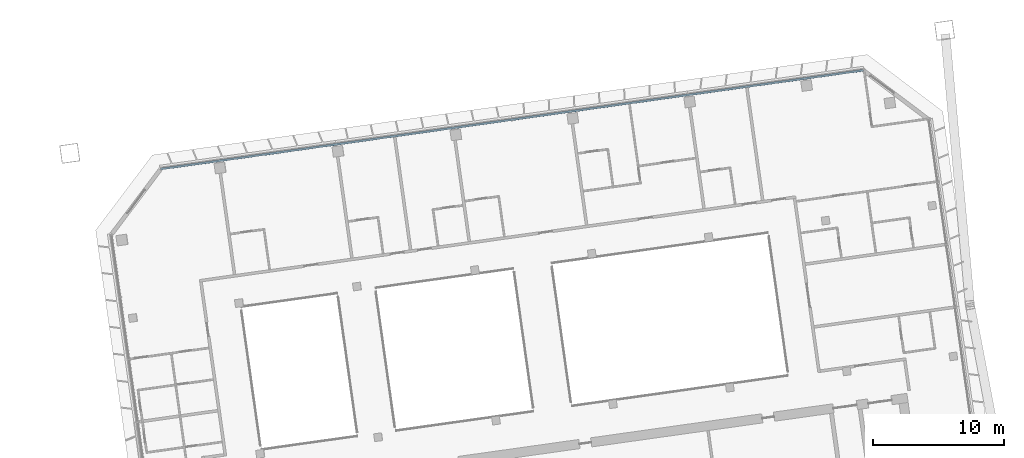
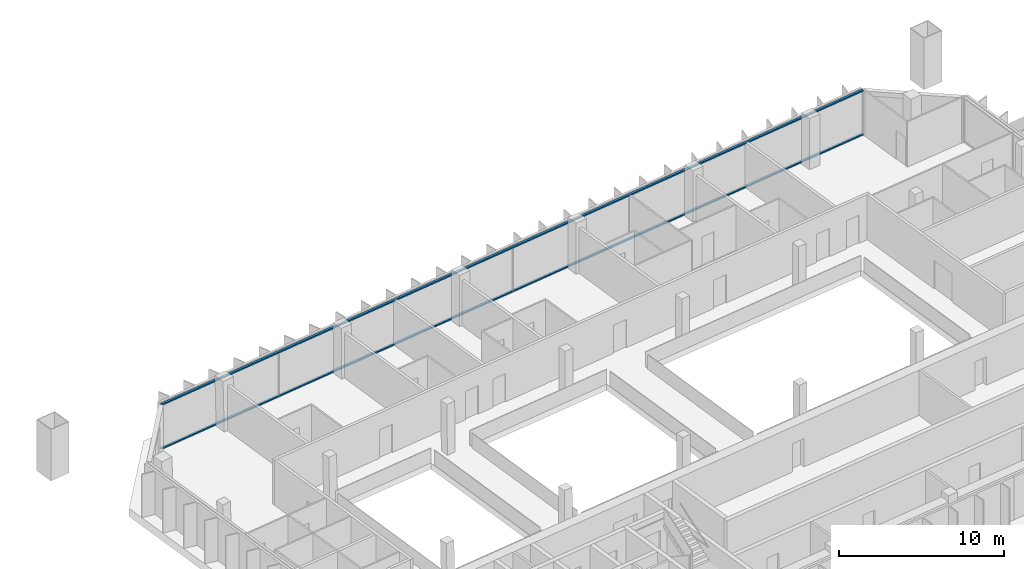
# One storey, part 12 of 28: 2 members, 1 element without a shape of its own.
"""IFC4 building model written with IfcOpenShell, lengths in metres."""

import ifcopenshell
import ifcopenshell.guid

model = None  # the IFC model being written
_history = None  # IfcOwnerHistory: only IFC2X3 demands one
_inside = {}  # id of a spatial element -> (the spatial element, [elements in it])
_under = {}  # id of a project, library or spatial element -> (it, [spatial elements below it])
_declared = {}  # id of a project -> (the project, [libraries it declares])
_typed = {}  # id of a type object -> (the type object, [elements of that type])
_made_of = {}  # id of a material, layer set ... -> (it, [elements and type objects made of it])


def new_model(schema):
    """Start an empty IFC model of exactly this schema.

    Asked for "IFC4X3", IfcOpenShell would pick the latest addendum, in which some entities
    have other attributes; the version numbers below select the first issue.
    IFC2X3 requires an IfcOwnerHistory on every rooted entity: one is made here for all.
    """
    global model, _history
    if schema == "IFC4X3":
        model = ifcopenshell.file(schema_version=(4, 3, 0, 0))
    else:
        model = ifcopenshell.file(schema=schema)
    _inside.clear()
    _under.clear()
    _declared.clear()
    _typed.clear()
    _made_of.clear()
    _history = None
    if model.schema == "IFC2X3":
        org = make("IfcOrganization", Name="unknown")
        user = make(
            "IfcPersonAndOrganization",
            ThePerson=make("IfcPerson", FamilyName="unknown"),
            TheOrganization=org,
        )
        app = make(
            "IfcApplication",
            ApplicationDeveloper=org,
            Version="unknown",
            ApplicationFullName="unknown",
            ApplicationIdentifier="unknown",
        )
        _history = make(
            "IfcOwnerHistory",
            OwningUser=user,
            OwningApplication=app,
            ChangeAction="ADDED",
            CreationDate=0,
        )
    return model


def make(cls, **values):
    """One entity of the class cls with the attributes given. An attribute that is None is left unset."""
    return model.create_entity(
        cls, **{name: value for name, value in values.items() if value is not None}
    )


def rooted(cls, **values):
    """An entity with a GlobalId (a new one), such as an element, a storey or a relation."""
    return make(cls, GlobalId=ifcopenshell.guid.new(), OwnerHistory=_history, **values)


def si_unit(unit_type, name, prefix=None):
    """IfcSIUnit, for example si_unit("LENGTHUNIT", "METRE", prefix="MILLI")."""
    return make("IfcSIUnit", UnitType=unit_type, Prefix=prefix, Name=name)


def assignment(units):
    """IfcUnitAssignment: the units of a project."""
    return None if units is None else make("IfcUnitAssignment", Units=units)


def point(xyz):
    """IfcCartesianPoint."""
    return None if xyz is None else make("IfcCartesianPoint", Coordinates=xyz)


def direction(xyz):
    """IfcDirection."""
    return None if xyz is None else make("IfcDirection", DirectionRatios=xyz)


def frame(location, z_axis=None, x_axis=None):
    """IfcAxis2Placement3D, a coordinate frame: its origin and axes. An axis left out is left unset."""
    return make(
        "IfcAxis2Placement3D",
        Location=point(location),
        Axis=direction(z_axis),
        RefDirection=direction(x_axis),
    )


def frame_2d(location, x_axis=None):
    """IfcAxis2Placement2D, a coordinate frame in the plane: its origin and x axis."""
    return make(
        "IfcAxis2Placement2D", Location=point(location), RefDirection=direction(x_axis)
    )


def origin():
    """The frame at (0, 0, 0) with its axes left unset."""
    return frame((0.0, 0.0, 0.0))


def origin_2d():
    """The frame at (0, 0) in the plane with its x axis left unset."""
    return frame_2d((0.0, 0.0))


def place(relative_to, where):
    """IfcLocalPlacement: puts the frame where relative to a parent placement (None: the world)."""
    return make(
        "IfcLocalPlacement", PlacementRelTo=relative_to, RelativePlacement=where
    )


def context(
    kind, dimensions, precision=None, world=None, true_north=None, identifier=None
):
    """IfcGeometricRepresentationContext, for example the 3D "Model" context."""
    return make(
        "IfcGeometricRepresentationContext",
        ContextIdentifier=identifier,
        ContextType=kind,
        CoordinateSpaceDimension=dimensions,
        Precision=precision,
        WorldCoordinateSystem=world,
        TrueNorth=true_north,
    )


def subcontext(parent, identifier, kind, view, scale=None):
    """IfcGeometricRepresentationSubContext, for example "Body" below "Model"."""
    return make(
        "IfcGeometricRepresentationSubContext",
        ContextIdentifier=identifier,
        ContextType=kind,
        ParentContext=parent,
        TargetScale=scale,
        TargetView=view,
    )


def project(units=None, contexts=None):
    """IfcProject with its units and contexts."""
    return rooted(
        "IfcProject",
        Name="project",
        RepresentationContexts=contexts,
        UnitsInContext=assignment(units),
    )


def spatial(cls, under=None, at=None, **own):
    """A site, building, storey or space (cls), placed at a placement, below another one or the project."""
    s = rooted(cls, ObjectPlacement=at, **own)
    if under is not None:
        _under.setdefault(under.id(), (under, []))[1].append(s)
    return s


def profile(cls, at=None, kind="AREA", **sizes):
    """A parametric profile (cls). Its sizes go by their IFC names, for example OverallWidth=200.0."""
    return make(cls, ProfileType=kind, Position=at, **sizes)


def rectangle(**sizes):
    """IfcRectangleProfileDef."""
    return profile("IfcRectangleProfileDef", **sizes)


def extrude(swept, where, along, depth):
    """IfcExtrudedAreaSolid: the profile swept, set in the frame where, extruded along a direction by depth."""
    return make(
        "IfcExtrudedAreaSolid",
        SweptArea=swept,
        Position=where,
        ExtrudedDirection=direction(along),
        Depth=depth,
    )


def shape(context_of_items, identifier, shape_type, items):
    """IfcShapeRepresentation: the items that make up one representation, for example the "Body"."""
    return make(
        "IfcShapeRepresentation",
        ContextOfItems=context_of_items,
        RepresentationIdentifier=identifier,
        RepresentationType=shape_type,
        Items=items,
    )


def material(Name=None, Category=None):
    """IfcMaterial."""
    return make("IfcMaterial", Name=Name, Category=Category)


def material_profile(
    of_material, cross_section, Name=None, Category=None, Priority=None
):
    """IfcMaterialProfile: a cross section and its material."""
    return make(
        "IfcMaterialProfile",
        Name=Name,
        Material=of_material,
        Profile=cross_section,
        Priority=Priority,
        Category=Category,
    )


def profile_set(profiles, Name=None, composite=None):
    """IfcMaterialProfileSet."""
    return make(
        "IfcMaterialProfileSet",
        Name=Name,
        MaterialProfiles=profiles,
        CompositeProfile=composite,
    )


def made_of(thing, what):
    """Note that an element or type object is made of a material, layer set ...; save() writes the relation."""
    if what is not None:
        _made_of.setdefault(what.id(), (what, []))[1].append(thing)
    return thing


def type_object(cls, material=None, **own):
    """A type object (cls), such as IfcWallType, which elements share."""
    return made_of(rooted(cls, **own), material)


def element(
    cls,
    number,
    at=None,
    inside=None,
    cuts=None,
    type_object=None,
    material=None,
    context=None,
    identifier="Body",
    shape_type=None,
    held_by="IfcProductDefinitionShape",
    body=None,
    shapes=None,
    **own,
):
    """One element of the class cls, such as IfcWall. Its Tag is "e" and its number.

    at: its placement. inside: the storey or other place that contains it. cuts: it is an
    opening in that element (IfcRelVoidsElement). A single representation is given by context,
    identifier, shape_type and body (its items); several are given by shapes. held_by: the class
    of the entity that holds the representations. save() writes the other relations.
    """
    e = rooted(cls, Tag="e%d" % number, ObjectPlacement=at, **own)
    if body is not None:
        shapes = [shape(context, identifier, shape_type, body)]
    if shapes is not None:
        e.Representation = make(held_by, Representations=shapes)
    if inside is not None:
        _inside.setdefault(inside.id(), (inside, []))[1].append(e)
    if cuts is not None:
        rooted(
            "IfcRelVoidsElement", RelatingBuildingElement=cuts, RelatedOpeningElement=e
        )
    if type_object is not None:
        _typed.setdefault(type_object.id(), (type_object, []))[1].append(e)
    return made_of(e, material)


def aggregate(whole, parts):
    """IfcRelAggregates: a whole, such as a stair, and the parts it consists of."""
    return rooted("IfcRelAggregates", RelatingObject=whole, RelatedObjects=parts)


def save(model, path):
    """Write the relations noted so far, then the file.

    IfcRelAggregates (storeys below a building ...), IfcRelContainedInSpatialStructure (elements
    in a storey), IfcRelDefinesByType, IfcRelAssociatesMaterial and IfcRelDeclares: one each for
    every whole, place, type object, material and project.
    """
    for whole, parts in _under.values():
        aggregate(whole, parts)
    for where, things in _inside.values():
        rooted(
            "IfcRelContainedInSpatialStructure",
            RelatedElements=things,
            RelatingStructure=where,
        )
    for kind, things in _typed.values():
        rooted("IfcRelDefinesByType", RelatedObjects=things, RelatingType=kind)
    for what, things in _made_of.values():
        rooted("IfcRelAssociatesMaterial", RelatedObjects=things, RelatingMaterial=what)
    for by, libraries in _declared.values():
        rooted("IfcRelDeclares", RelatingContext=by, RelatedDefinitions=libraries)
    model.write(path)


model = new_model("IFC4")

# Units and contexts
model_context = context("Model", 3, precision=1e-05, world=origin(), true_north=direction((0.0, 1.0)))
body_context = subcontext(model_context, "Body", "Model", "MODEL_VIEW")
ifc_project = project(units=[si_unit("LENGTHUNIT", "METRE"), si_unit("AREAUNIT", "SQUARE_METRE"), si_unit("VOLUMEUNIT", "CUBIC_METRE"), si_unit("PLANEANGLEUNIT", "RADIAN"), si_unit("MASSUNIT", "GRAM", prefix="KILO")], contexts=[model_context])

# Site, building, storey
site_placement = place(None, origin())
site = spatial("IfcSite", under=ifc_project, at=site_placement, CompositionType="ELEMENT")
building_placement = place(site_placement, origin())
building = spatial("IfcBuilding", under=site, at=building_placement, Name="Mirante Cascada Hotel Towers", CompositionType="ELEMENT")
storey_placement = place(building_placement, frame((0.0, 0.0, 165.0)))
storey = spatial("IfcBuildingStorey", under=building, at=storey_placement, Name="L38", CompositionType="ELEMENT", Elevation=165.0)

# Curtain wall, members
ifc_material_1 = material(Name="Aluminium mullion and transom frame with clear laminated glass", Category="aluminium")
curtain_wall_type = type_object("IfcCurtainWallType", Name="Ribbon curtain wall ECW1", PredefinedType="NOTDEFINED", material=ifc_material_1)
curtain_wall_placement = place(storey_placement, origin())
curtain_wall = element("IfcCurtainWall", 1, at=curtain_wall_placement, inside=storey, type_object=curtain_wall_type, Name="Front ribbon wall T2 L38", PredefinedType="NOTDEFINED")
ifc_material_2 = material(Name="Anodised aluminium extrusion", Category="aluminium")
ifc_material_profile = material_profile(ifc_material_2, rectangle(XDim=0.16, YDim=0.1, at=origin_2d()), Name="ECW1 TRANSOM 100x160")
ifc_profile_set = profile_set([ifc_material_profile], Name="Anodised aluminium extrusion")
member_type = type_object("IfcMemberType", Name="ECW1 transom 100x160", PredefinedType="USERDEFINED", material=ifc_profile_set)
member_1_placement = place(storey_placement, frame((85.2457, 24.7995, 0.05), z_axis=(-0.9902682, -0.1391718, 0.0), x_axis=(0.1391718, -0.9902682, 0.0)))
member_1 = element("IfcMember", 2, at=member_1_placement, type_object=member_type, Name="ECW1 sill transom", ObjectType="TRANSOM", PredefinedType="USERDEFINED", context=body_context, shape_type="SweptSolid", body=[
    extrude(rectangle(XDim=0.16, YDim=0.1, at=origin_2d()), origin(), (0.0, 0.0, 1.0), 54.0785),
])
member_2_placement = place(storey_placement, frame((85.2457, 24.7995, 3.3), z_axis=(-0.9902682, -0.1391718, 0.0), x_axis=(0.1391718, -0.9902682, 0.0)))
member_2 = element("IfcMember", 3, at=member_2_placement, type_object=member_type, Name="ECW1 head transom", ObjectType="TRANSOM", PredefinedType="USERDEFINED", context=body_context, shape_type="SweptSolid", body=[
    extrude(rectangle(XDim=0.16, YDim=0.1, at=origin_2d()), origin(), (0.0, 0.0, 1.0), 54.0785),
])
aggregate(curtain_wall, [member_1, member_2])

save(model, "model.ifc")
